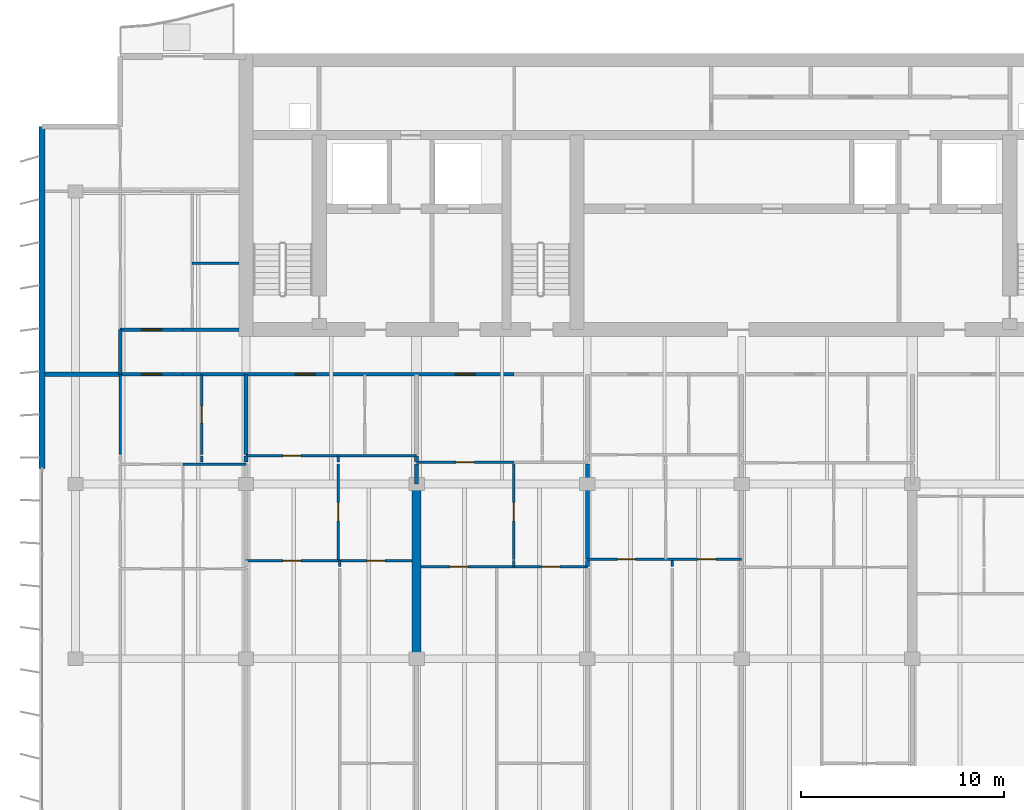
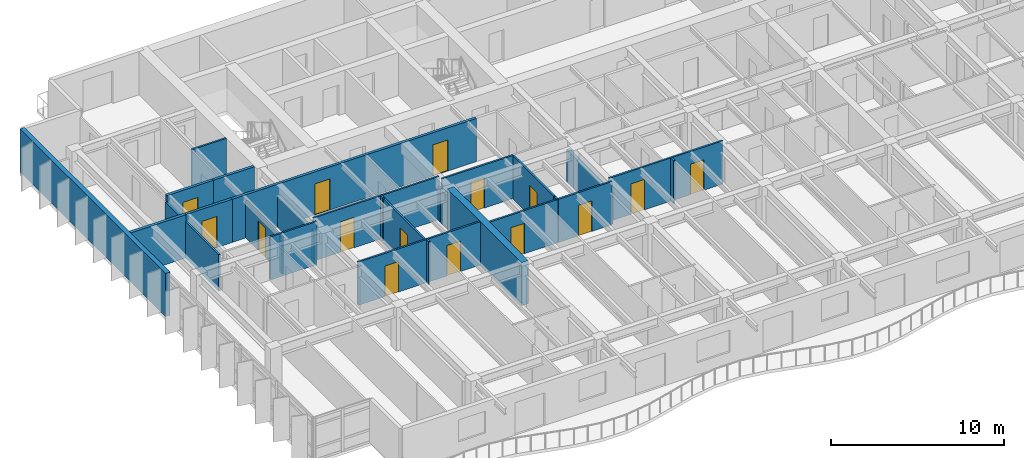
# One storey, part 7 of 17: 31 walls, 15 doors, 15 openings.
"""IFC4 building model written with IfcOpenShell, lengths in metres."""

from ifc_helpers import new_model, si_unit, direction, frame, frame_2d, origin, place, context, subcontext, project, spatial, rectangle, extrude, material, layer, layer_set, type_object, element, fill, save


model = new_model("IFC4")

# Units and contexts
model_context = context("Model", 3, precision=1e-05, world=origin(), true_north=direction((0.0, 1.0)))
body_context = subcontext(model_context, "Body", "Model", "MODEL_VIEW")
ifc_project = project(units=[si_unit("LENGTHUNIT", "METRE"), si_unit("AREAUNIT", "SQUARE_METRE"), si_unit("VOLUMEUNIT", "CUBIC_METRE"), si_unit("PLANEANGLEUNIT", "RADIAN"), si_unit("MASSUNIT", "GRAM", prefix="KILO")], contexts=[model_context])

# Site, building, storey
site_placement = place(None, origin())
site = spatial("IfcSite", under=ifc_project, at=site_placement, CompositionType="ELEMENT")
building_placement = place(site_placement, origin())
building = spatial("IfcBuilding", under=site, at=building_placement, Name="Caelmar Bay Residences", CompositionType="ELEMENT")
storey_placement = place(building_placement, frame((0.0, 0.0, 262.800048828125)))
storey = spatial("IfcBuildingStorey", under=building, at=storey_placement, Name="L74", CompositionType="ELEMENT", Elevation=262.800048828125)

# Walls
ifc_material_1 = material(Name="Concrete f'c 55 MPa (8,000 psi)", Category="concrete")
ifc_layer_1 = layer(ifc_material_1, 0.449951171875)
ifc_layer_set_1 = layer_set([ifc_layer_1], Name="Concrete f'c 55 MPa (8,000 psi)")
wall_type_1 = type_object("IfcWallType", Name="SW-XSLB-450", PredefinedType="SHEAR", material=ifc_layer_set_1)
wall_1_placement = place(storey_placement, frame((26.699951171875, 20.800048828125, 0.0), z_axis=(0.0, 0.0, 1.0), x_axis=(0.0, 1.0, 0.0)))
element("IfcWall", 1, at=wall_1_placement, inside=storey, type_object=wall_type_1, Name="L74 Transverse Cross-Slab Shear Wall W5", PredefinedType="SHEAR", context=body_context, shape_type="SweptSolid", body=[
    extrude(rectangle(XDim=8.599853515625, YDim=0.449951171875, at=frame_2d((4.2998046875, 0.0))), origin(), (0.0, 0.0, 1.0), 3.050048828125),
])
ifc_material_2 = material(Name="Double-stud acoustic fire-rated gypsum partition 180 mm")
ifc_layer_2 = layer(ifc_material_2, 0.179931640625)
ifc_layer_set_2 = layer_set([ifc_layer_2], Name="Double-stud acoustic fire-rated gypsum partition 180 mm")
wall_type_2 = type_object("IfcWallType", Name="W-COR-200", PredefinedType="PARTITIONING", material=ifc_layer_set_2)
wall_2_placement = place(storey_placement, frame((12.10009765625, 34.804931640625, 0.0), z_axis=(0.0, 0.0, 1.0), x_axis=(0.0, 1.0, 0.0)))
element("IfcWall", 2, at=wall_2_placement, inside=storey, type_object=wall_type_2, Name="L74 Partition Wall V006", PredefinedType="PARTITIONING", context=body_context, shape_type="SweptSolid", body=[
    extrude(rectangle(XDim=2.195068359375, YDim=0.179931640625, at=frame_2d((1.09765625, 0.0))), origin(), (0.0, 0.0, 1.0), 2.577880859375),
])

# Wall, opening, door
wall_3_placement = place(storey_placement, frame((12.10498046875, 34.800048828125, 0.0), z_axis=(0.0, 0.0, 1.0), x_axis=(1.0, 0.0, 0.0)))
wall_3 = element("IfcWall", 3, at=wall_3_placement, inside=storey, type_object=wall_type_2, Name="L74 Partition Wall H128", PredefinedType="PARTITIONING", context=body_context, shape_type="SweptSolid", body=[
    extrude(rectangle(XDim=3.093017578125, YDim=0.179931640625, at=frame_2d((1.54638671875, 0.0))), origin(), (0.0, 0.0, 1.0), 3.050048828125),
])
opening_1_placement = place(wall_3_placement, frame((1.04638671875, 0.0, 0.0)))
opening_1 = element("IfcOpeningElement", 4, at=opening_1_placement, cuts=wall_3, Name="Opening D-L74-122", PredefinedType="OPENING", context=body_context, shape_type="SweptSolid", body=[
    extrude(rectangle(XDim=1.0, YDim=2.199951171875, at=frame_2d((0.5, 1.10009765625))), frame((0.0, 0.099853515625, 0.0), z_axis=(0.0, -1.0, 0.0), x_axis=(1.0, 0.0, 0.0)), (0.0, 0.0, 1.0), 0.199951171875),
])
ifc_material_3 = material(Name="Fire-rated steel and walnut architectural door assembly", Category="steel")
ifc_layer_3 = layer(ifc_material_3, 0.050048828125)
ifc_layer_set_3 = layer_set([ifc_layer_3], Name="Fire-rated steel and walnut architectural door assembly")
door_type_1 = type_object("IfcDoorType", Name="D-UNIT-1000", OperationType="NOTDEFINED", PredefinedType="DOOR", material=ifc_layer_set_3)
door_1_placement = place(opening_1_placement, origin())
door_1 = element("IfcDoor", 5, at=door_1_placement, inside=storey, type_object=door_type_1, Name="L74 Residence 01 Apartment Hall Door", OperationType="SINGLE_SWING_RIGHT", OverallHeight=2.199951171875, OverallWidth=1.0, PredefinedType="DOOR", context=body_context, shape_type="SweptSolid", body=[
    extrude(rectangle(XDim=1.0, YDim=2.199951171875, at=frame_2d((0.5, 1.10009765625))), frame((0.0, 0.02490234375, 0.0), z_axis=(0.0, -1.0, 0.0), x_axis=(1.0, 0.0, 0.0)), (0.0, 0.0, 1.0), 0.050048828125),
])
fill(opening_1, door_1)

# Wall, openings, doors
wall_4_placement = place(storey_placement, frame((15.202880859375, 34.800048828125, 0.0), z_axis=(0.0, 0.0, 1.0), x_axis=(1.0, 0.0, 0.0)))
wall_4 = element("IfcWall", 6, at=wall_4_placement, inside=storey, type_object=wall_type_2, Name="L74 Partition Wall H129", PredefinedType="PARTITIONING", context=body_context, shape_type="SweptSolid", body=[
    extrude(rectangle(XDim=16.283203125, YDim=0.179931640625, at=frame_2d((8.1416015625, 0.0))), origin(), (0.0, 0.0, 1.0), 3.050048828125),
])
opening_2_placement = place(wall_4_placement, frame((5.51611328125, 0.0, 0.0)))
opening_2 = element("IfcOpeningElement", 7, at=opening_2_placement, cuts=wall_4, Name="Opening D-L74-128", PredefinedType="OPENING", context=body_context, shape_type="SweptSolid", body=[
    extrude(rectangle(XDim=1.0, YDim=2.199951171875, at=frame_2d((0.5, 1.10009765625))), frame((0.0, 0.099853515625, 0.0), z_axis=(0.0, -1.0, 0.0), x_axis=(1.0, 0.0, 0.0)), (0.0, 0.0, 1.0), 0.199951171875),
])
opening_3_placement = place(wall_4_placement, frame((13.389892578125, 0.0, 0.0)))
opening_3 = element("IfcOpeningElement", 8, at=opening_3_placement, cuts=wall_4, Name="Opening D-L74-135", PredefinedType="OPENING", context=body_context, shape_type="SweptSolid", body=[
    extrude(rectangle(XDim=1.0, YDim=2.199951171875, at=frame_2d((0.5, 1.10009765625))), frame((0.0, 0.099853515625, 0.0), z_axis=(0.0, -1.0, 0.0), x_axis=(1.0, 0.0, 0.0)), (0.0, 0.0, 1.0), 0.199951171875),
])
door_2_placement = place(opening_2_placement, origin())
door_2 = element("IfcDoor", 9, at=door_2_placement, inside=storey, type_object=door_type_1, Name="L74 Residence 02 Apartment Hall Door", OperationType="SINGLE_SWING_RIGHT", OverallHeight=2.199951171875, OverallWidth=1.0, PredefinedType="DOOR", context=body_context, shape_type="SweptSolid", body=[
    extrude(rectangle(XDim=1.0, YDim=2.199951171875, at=frame_2d((0.5, 1.10009765625))), frame((0.0, 0.02490234375, 0.0), z_axis=(0.0, -1.0, 0.0), x_axis=(1.0, 0.0, 0.0)), (0.0, 0.0, 1.0), 0.050048828125),
])
fill(opening_2, door_2)
door_3_placement = place(opening_3_placement, origin())
door_3 = element("IfcDoor", 10, at=door_3_placement, inside=storey, type_object=door_type_1, Name="L74 Residence 03 Apartment Hall Door", OperationType="SINGLE_SWING_LEFT", OverallHeight=2.199951171875, OverallWidth=1.0, PredefinedType="DOOR", context=body_context, shape_type="SweptSolid", body=[
    extrude(rectangle(XDim=1.0, YDim=2.199951171875, at=frame_2d((0.5, 1.10009765625))), frame((0.0, 0.02490234375, 0.0), z_axis=(0.0, -1.0, 0.0), x_axis=(1.0, 0.0, 0.0)), (0.0, 0.0, 1.0), 0.050048828125),
])
fill(opening_3, door_3)

# Wall, opening, door
wall_5_placement = place(storey_placement, frame((12.10009765625, 37.0, 0.0), z_axis=(0.0, 0.0, 1.0), x_axis=(1.0, 0.0, 0.0)))
wall_5 = element("IfcWall", 11, at=wall_5_placement, inside=storey, type_object=wall_type_2, Name="L74 Partition Wall H132", PredefinedType="PARTITIONING", context=body_context, shape_type="SweptSolid", body=[
    extrude(rectangle(XDim=3.097900390625, YDim=0.179931640625, at=frame_2d((1.548828125, 0.0))), origin(), (0.0, 0.0, 1.0), 3.050048828125),
])
opening_4_placement = place(wall_5_placement, frame((1.049072265625, 0.0, 0.0)))
opening_4 = element("IfcOpeningElement", 12, at=opening_4_placement, cuts=wall_5, Name="Opening D-L74-167", PredefinedType="OPENING", context=body_context, shape_type="SweptSolid", body=[
    extrude(rectangle(XDim=1.0, YDim=2.199951171875, at=frame_2d((0.5, 1.10009765625))), frame((0.0, 0.099853515625, 0.0), z_axis=(0.0, -1.0, 0.0), x_axis=(1.0, 0.0, 0.0)), (0.0, 0.0, 1.0), 0.199951171875),
])
door_4_placement = place(opening_4_placement, origin())
door_4 = element("IfcDoor", 13, at=door_4_placement, inside=storey, type_object=door_type_1, Name="L74 Residence WA Kitchen Door", OperationType="SINGLE_SWING_LEFT", OverallHeight=2.199951171875, OverallWidth=1.0, PredefinedType="DOOR", context=body_context, shape_type="SweptSolid", body=[
    extrude(rectangle(XDim=1.0, YDim=2.199951171875, at=frame_2d((0.5, 1.10009765625))), frame((0.0, 0.02490234375, 0.0), z_axis=(0.0, -1.0, 0.0), x_axis=(1.0, 0.0, 0.0)), (0.0, 0.0, 1.0), 0.050048828125),
])
fill(opening_4, door_4)

# Walls
wall_6_placement = place(storey_placement, frame((15.202880859375, 37.0, 0.0), z_axis=(0.0, 0.0, 1.0), x_axis=(1.0, 0.0, 0.0)))
element("IfcWall", 14, at=wall_6_placement, inside=storey, type_object=wall_type_2, Name="L74 Partition Wall H133", PredefinedType="PARTITIONING", context=body_context, shape_type="SweptSolid", body=[
    extrude(rectangle(XDim=2.7421875, YDim=0.179931640625, at=frame_2d((1.37109375, 0.0))), origin(), (0.0, 0.0, 1.0), 3.050048828125),
])
ifc_material_4 = material(Name="Precast concrete f'c 40 MPa (6,000 psi)", Category="concrete")
ifc_layer_4 = layer(ifc_material_4, 0.300048828125)
ifc_layer_set_4 = layer_set([ifc_layer_4], Name="Precast concrete f'c 40 MPa (6,000 psi)")
wall_type_3 = type_object("IfcWallType", Name="W-EXT-300", PredefinedType="STANDARD", material=ifc_layer_set_4)
wall_7_placement = place(storey_placement, frame((8.25, 30.14990234375, 0.0), z_axis=(0.0, 0.0, 1.0), x_axis=(0.0, 1.0, 0.0)))
element("IfcWall", 15, at=wall_7_placement, inside=storey, type_object=wall_type_3, Name="L74 West Rear Exterior Wall", PredefinedType="STANDARD", context=body_context, shape_type="SweptSolid", body=[
    extrude(rectangle(XDim=16.85009765625, YDim=0.300048828125, at=frame_2d((8.425048828125, 0.0))), origin(), (0.0, 0.0, 1.0), 3.050048828125),
])
ifc_material_5 = material(Name="Acoustic metal-stud gypsum partition 120 mm")
ifc_layer_5 = layer(ifc_material_5, 0.1201171875)
ifc_layer_set_5 = layer_set([ifc_layer_5], Name="Acoustic metal-stud gypsum partition 120 mm")
wall_type_4 = type_object("IfcWallType", Name="W-PRT-120", PredefinedType="PARTITIONING", material=ifc_layer_set_5)
wall_8_placement = place(storey_placement, frame((12.10009765625, 30.840087890625, 0.0), z_axis=(0.0, 0.0, 1.0), x_axis=(0.0, 1.0, 0.0)))
element("IfcWall", 16, at=wall_8_placement, inside=storey, type_object=wall_type_4, Name="L74 Partition Wall V005", PredefinedType="PARTITIONING", context=body_context, shape_type="SweptSolid", body=[
    extrude(rectangle(XDim=3.9599609375, YDim=0.1201171875, at=frame_2d((1.97998046875, 0.0))), origin(), (0.0, 0.0, 1.0), 2.577880859375),
])
wall_9_placement = place(storey_placement, frame((16.1279296875, 30.47998046875, 0.0), z_axis=(0.0, 0.0, 1.0), x_axis=(0.0, 1.0, 0.0)))
element("IfcWall", 17, at=wall_9_placement, inside=storey, type_object=wall_type_4, Name="L74 Partition Wall V013", PredefinedType="PARTITIONING", context=body_context, shape_type="SweptSolid", body=[
    extrude(rectangle(XDim=0.300048828125, YDim=0.1201171875, at=frame_2d((0.14990234375, 0.0))), origin(), (0.0, 0.0, 1.0), 2.62890625),
])

# Wall, opening, door
wall_10_placement = place(storey_placement, frame((16.1279296875, 30.840087890625, 0.0), z_axis=(0.0, 0.0, 1.0), x_axis=(0.0, 1.0, 0.0)))
wall_10 = element("IfcWall", 18, at=wall_10_placement, inside=storey, type_object=wall_type_4, Name="L74 Partition Wall V014", PredefinedType="PARTITIONING", context=body_context, shape_type="SweptSolid", body=[
    extrude(rectangle(XDim=3.9599609375, YDim=0.1201171875, at=frame_2d((1.97998046875, 0.0))), origin(), (0.0, 0.0, 1.0), 2.62890625),
])
opening_5_placement = place(wall_10_placement, frame((1.554931640625, 0.0, 0.0)))
opening_5 = element("IfcOpeningElement", 19, at=opening_5_placement, cuts=wall_10, Name="Opening D-L74-123", PredefinedType="OPENING", context=body_context, shape_type="SweptSolid", body=[
    extrude(rectangle(XDim=0.85009765625, YDim=2.10009765625, at=frame_2d((0.425048828125, 1.050048828125))), frame((0.0, 0.070068359375, 0.0), z_axis=(0.0, -1.0, 0.0), x_axis=(1.0, 0.0, 0.0)), (0.0, 0.0, 1.0), 0.14013671875),
])
ifc_material_6 = material(Name="Solid walnut timber interior door leaf and frame", Category="wood")
ifc_layer_6 = layer(ifc_material_6, 0.050048828125)
ifc_layer_set_6 = layer_set([ifc_layer_6], Name="Solid walnut timber interior door leaf and frame")
door_type_2 = type_object("IfcDoorType", Name="D-BATH-850", OperationType="NOTDEFINED", PredefinedType="DOOR", material=ifc_layer_set_6)
door_5_placement = place(opening_5_placement, origin())
door_5 = element("IfcDoor", 20, at=door_5_placement, inside=storey, type_object=door_type_2, Name="L74 Residence 01 Bathroom Door", OperationType="SINGLE_SWING_LEFT", OverallHeight=2.10009765625, OverallWidth=0.85009765625, PredefinedType="DOOR", context=body_context, shape_type="SweptSolid", body=[
    extrude(rectangle(XDim=0.85009765625, YDim=2.10009765625, at=frame_2d((0.425048828125, 1.050048828125))), frame((0.0, 0.02490234375, 0.0), z_axis=(0.0, -1.0, 0.0), x_axis=(1.0, 0.0, 0.0)), (0.0, 0.0, 1.0), 0.050048828125),
])
fill(opening_5, door_5)

wall_11_placement = place(storey_placement, frame((22.8359375, 25.68994140625, 0.0), z_axis=(0.0, 0.0, 1.0), x_axis=(0.0, 1.0, 0.0)))
wall_11 = element("IfcWall", 21, at=wall_11_placement, inside=storey, type_object=wall_type_4, Name="L74 Partition Wall V022", PredefinedType="PARTITIONING", context=body_context, shape_type="SweptSolid", body=[
    extrude(rectangle(XDim=4.68994140625, YDim=0.1201171875, at=frame_2d((2.344970703125, 0.0))), origin(), (0.0, 0.0, 1.0), 3.050048828125),
])
opening_6_placement = place(wall_11_placement, frame((1.89501953125, 0.0, 0.0)))
opening_6 = element("IfcOpeningElement", 22, at=opening_6_placement, cuts=wall_11, Name="Opening D-L74-131", PredefinedType="OPENING", context=body_context, shape_type="SweptSolid", body=[
    extrude(rectangle(XDim=0.89990234375, YDim=2.14990234375, at=frame_2d((0.449951171875, 1.074951171875))), frame((0.0, 0.070068359375, 0.0), z_axis=(0.0, -1.0, 0.0), x_axis=(1.0, 0.0, 0.0)), (0.0, 0.0, 1.0), 0.14013671875),
])
ifc_layer_7 = layer(ifc_material_6, 0.050048828125)
ifc_layer_set_7 = layer_set([ifc_layer_7], Name="Solid walnut timber interior door leaf and frame")
door_type_3 = type_object("IfcDoorType", Name="D-ROOM-900", OperationType="NOTDEFINED", PredefinedType="DOOR", material=ifc_layer_set_7)
door_6_placement = place(opening_6_placement, origin())
door_6 = element("IfcDoor", 23, at=door_6_placement, inside=storey, type_object=door_type_3, Name="L74 Residence 02 Private Reception Salon Door", OperationType="SINGLE_SWING_LEFT", OverallHeight=2.14990234375, OverallWidth=0.89990234375, PredefinedType="DOOR", context=body_context, shape_type="SweptSolid", body=[
    extrude(rectangle(XDim=0.89990234375, YDim=2.14990234375, at=frame_2d((0.449951171875, 1.074951171875))), frame((0.0, 0.02490234375, 0.0), z_axis=(0.0, -1.0, 0.0), x_axis=(1.0, 0.0, 0.0)), (0.0, 0.0, 1.0), 0.050048828125),
])
fill(opening_6, door_6)

# Walls
wall_12_placement = place(storey_placement, frame((22.8359375, 30.47998046875, 0.0), z_axis=(0.0, 0.0, 1.0), x_axis=(0.0, 1.0, 0.0)))
element("IfcWall", 24, at=wall_12_placement, inside=storey, type_object=wall_type_4, Name="L74 Partition Wall V023", PredefinedType="PARTITIONING", context=body_context, shape_type="SweptSolid", body=[
    extrude(rectangle(XDim=0.300048828125, YDim=0.1201171875, at=frame_2d((0.14990234375, 0.0))), origin(), (0.0, 0.0, 1.0), 3.050048828125),
])
for number, where, z_axis, x_axis, name in (
    (25, (22.919921875, 25.330078125, 0.0), (0.0, 0.0, 1.0), (0.0, 1.0, 0.0), "L74 Partition Wall V026"),
    (26, (31.486083984375, 25.330078125, 0.0), (0.0, 0.0, 1.0), (0.0, 1.0, 0.0), "L74 Partition Wall V038"),
):
    element("IfcWall", number, at=place(storey_placement, frame(where, z_axis=z_axis, x_axis=x_axis)), inside=storey, type_object=wall_type_4, Name=name, PredefinedType="PARTITIONING", context=body_context, shape_type="SweptSolid", body=[
        extrude(rectangle(XDim=0.2998046875, YDim=0.1201171875, at=frame_2d((0.14990234375, 0.0))), origin(), (0.0, 0.0, 1.0), 3.050048828125),
    ])

# Wall, opening, door
wall_13_placement = place(storey_placement, frame((31.486083984375, 25.68994140625, 0.0), z_axis=(0.0, 0.0, 1.0), x_axis=(0.0, 1.0, 0.0)))
wall_13 = element("IfcWall", 27, at=wall_13_placement, inside=storey, type_object=wall_type_4, Name="L74 Partition Wall V039", PredefinedType="PARTITIONING", context=body_context, shape_type="SweptSolid", body=[
    extrude(rectangle(XDim=4.68994140625, YDim=0.1201171875, at=frame_2d((2.344970703125, 0.0))), origin(), (0.0, 0.0, 1.0), 3.050048828125),
])
opening_7_placement = place(wall_13_placement, frame((1.89501953125, 0.0, 0.0)))
opening_7 = element("IfcOpeningElement", 28, at=opening_7_placement, cuts=wall_13, Name="Opening D-L74-138", PredefinedType="OPENING", context=body_context, shape_type="SweptSolid", body=[
    extrude(rectangle(XDim=0.89990234375, YDim=2.14990234375, at=frame_2d((0.449951171875, 1.074951171875))), frame((0.0, 0.070068359375, 0.0), z_axis=(0.0, -1.0, 0.0), x_axis=(1.0, 0.0, 0.0)), (0.0, 0.0, 1.0), 0.14013671875),
])
door_7_placement = place(opening_7_placement, origin())
door_7 = element("IfcDoor", 29, at=door_7_placement, inside=storey, type_object=door_type_3, Name="L74 Residence 03 Private Reception Salon Door", OperationType="SINGLE_SWING_RIGHT", OverallHeight=2.14990234375, OverallWidth=0.89990234375, PredefinedType="DOOR", context=body_context, shape_type="SweptSolid", body=[
    extrude(rectangle(XDim=0.89990234375, YDim=2.14990234375, at=frame_2d((0.449951171875, 1.074951171875))), frame((0.0, 0.02490234375, 0.0), z_axis=(0.0, -1.0, 0.0), x_axis=(1.0, 0.0, 0.0)), (0.0, 0.0, 1.0), 0.050048828125),
])
fill(opening_7, door_7)

# Wall
wall_14_placement = place(storey_placement, frame((39.280029296875, 25.330078125, 0.0), z_axis=(0.0, 0.0, 1.0), x_axis=(0.0, 1.0, 0.0)))
element("IfcWall", 30, at=wall_14_placement, inside=storey, type_object=wall_type_4, Name="L74 Partition Wall V053", PredefinedType="PARTITIONING", context=body_context, shape_type="SweptSolid", body=[
    extrude(rectangle(XDim=0.2998046875, YDim=0.1201171875, at=frame_2d((0.14990234375, 0.0))), origin(), (0.0, 0.0, 1.0), 3.050048828125),
])

# Wall, opening, door
wall_15_placement = place(storey_placement, frame((26.919921875, 25.330078125, 0.0), z_axis=(0.0, 0.0, 1.0), x_axis=(1.0, 0.0, 0.0)))
wall_15 = element("IfcWall", 31, at=wall_15_placement, inside=storey, type_object=wall_type_4, Name="L74 Partition Wall H114", PredefinedType="PARTITIONING", context=body_context, shape_type="SweptSolid", body=[
    extrude(rectangle(XDim=4.566162109375, YDim=0.1201171875, at=frame_2d((2.283203125, 0.0))), origin(), (0.0, 0.0, 1.0), 3.050048828125),
])
opening_8_placement = place(wall_15_placement, frame((1.4140625, 0.0, 0.0)))
opening_8 = element("IfcOpeningElement", 32, at=opening_8_placement, cuts=wall_15, Name="Opening D-L74-139", PredefinedType="OPENING", context=body_context, shape_type="SweptSolid", body=[
    extrude(rectangle(XDim=0.89990234375, YDim=2.14990234375, at=frame_2d((0.449951171875, 1.074951171875))), frame((0.0, 0.070068359375, 0.0), z_axis=(0.0, -1.0, 0.0), x_axis=(1.0, 0.0, 0.0)), (0.0, 0.0, 1.0), 0.14013671875),
])
door_8_placement = place(opening_8_placement, origin())
door_8 = element("IfcDoor", 33, at=door_8_placement, inside=storey, type_object=door_type_3, Name="L74 Residence 03 Living Room Door", OperationType="SINGLE_SWING_LEFT", OverallHeight=2.14990234375, OverallWidth=0.89990234375, PredefinedType="DOOR", context=body_context, shape_type="SweptSolid", body=[
    extrude(rectangle(XDim=0.89990234375, YDim=2.14990234375, at=frame_2d((0.449951171875, 1.074951171875))), frame((0.0, 0.02490234375, 0.0), z_axis=(0.0, -1.0, 0.0), x_axis=(1.0, 0.0, 0.0)), (0.0, 0.0, 1.0), 0.050048828125),
])
fill(opening_8, door_8)

wall_16_placement = place(storey_placement, frame((31.5, 25.330078125, 0.0), z_axis=(0.0, 0.0, 1.0), x_axis=(1.0, 0.0, 0.0)))
wall_16 = element("IfcWall", 34, at=wall_16_placement, inside=storey, type_object=wall_type_4, Name="L74 Partition Wall H115", PredefinedType="PARTITIONING", context=body_context, shape_type="SweptSolid", body=[
    extrude(rectangle(XDim=3.60009765625, YDim=0.1201171875, at=frame_2d((1.800048828125, 0.0))), origin(), (0.0, 0.0, 1.0), 3.050048828125),
])
opening_9_placement = place(wall_16_placement, frame((1.35009765625, 0.0, 0.0)))
opening_9 = element("IfcOpeningElement", 35, at=opening_9_placement, cuts=wall_16, Name="Opening D-L74-140", PredefinedType="OPENING", context=body_context, shape_type="SweptSolid", body=[
    extrude(rectangle(XDim=0.89990234375, YDim=2.14990234375, at=frame_2d((0.449951171875, 1.074951171875))), frame((0.0, 0.070068359375, 0.0), z_axis=(0.0, -1.0, 0.0), x_axis=(1.0, 0.0, 0.0)), (0.0, 0.0, 1.0), 0.14013671875),
])
door_9_placement = place(opening_9_placement, origin())
door_9 = element("IfcDoor", 36, at=door_9_placement, inside=storey, type_object=door_type_3, Name="L74 Residence 03 Penthouse Sitting Room Door", OperationType="SINGLE_SWING_RIGHT", OverallHeight=2.14990234375, OverallWidth=0.89990234375, PredefinedType="DOOR", context=body_context, shape_type="SweptSolid", body=[
    extrude(rectangle(XDim=0.89990234375, YDim=2.14990234375, at=frame_2d((0.449951171875, 1.074951171875))), frame((0.0, 0.02490234375, 0.0), z_axis=(0.0, -1.0, 0.0), x_axis=(1.0, 0.0, 0.0)), (0.0, 0.0, 1.0), 0.050048828125),
])
fill(opening_9, door_9)

# Wall, openings, doors
wall_17_placement = place(storey_placement, frame((18.300048828125, 25.6298828125, 0.0), z_axis=(0.0, 0.0, 1.0), x_axis=(1.0, 0.0, 0.0)))
wall_17 = element("IfcWall", 37, at=wall_17_placement, inside=storey, type_object=wall_type_4, Name="L74 Partition Wall H116", PredefinedType="PARTITIONING", context=body_context, shape_type="SweptSolid", body=[
    extrude(rectangle(XDim=8.179931640625, YDim=0.1201171875, at=frame_2d((4.08984375, 0.0))), origin(), (0.0, 0.0, 1.0), 3.050048828125),
])
opening_10_placement = place(wall_17_placement, frame((1.818115234375, 0.0, 0.0)))
opening_10 = element("IfcOpeningElement", 38, at=opening_10_placement, cuts=wall_17, Name="Opening D-L74-132", PredefinedType="OPENING", context=body_context, shape_type="SweptSolid", body=[
    extrude(rectangle(XDim=0.89990234375, YDim=2.14990234375, at=frame_2d((0.449951171875, 1.074951171875))), frame((0.0, 0.070068359375, 0.0), z_axis=(0.0, -1.0, 0.0), x_axis=(1.0, 0.0, 0.0)), (0.0, 0.0, 1.0), 0.14013671875),
])
opening_11_placement = place(wall_17_placement, frame((5.949951171875, 0.0, 0.0)))
opening_11 = element("IfcOpeningElement", 39, at=opening_11_placement, cuts=wall_17, Name="Opening D-L74-133", PredefinedType="OPENING", context=body_context, shape_type="SweptSolid", body=[
    extrude(rectangle(XDim=0.89990234375, YDim=2.14990234375, at=frame_2d((0.449951171875, 1.074951171875))), frame((0.0, 0.070068359375, 0.0), z_axis=(0.0, -1.0, 0.0), x_axis=(1.0, 0.0, 0.0)), (0.0, 0.0, 1.0), 0.14013671875),
])
door_10_placement = place(opening_10_placement, origin())
door_10 = element("IfcDoor", 40, at=door_10_placement, inside=storey, type_object=door_type_3, Name="L74 Residence 02 Living Room Door", OperationType="SINGLE_SWING_RIGHT", OverallHeight=2.14990234375, OverallWidth=0.89990234375, PredefinedType="DOOR", context=body_context, shape_type="SweptSolid", body=[
    extrude(rectangle(XDim=0.89990234375, YDim=2.14990234375, at=frame_2d((0.449951171875, 1.074951171875))), frame((0.0, 0.02490234375, 0.0), z_axis=(0.0, -1.0, 0.0), x_axis=(1.0, 0.0, 0.0)), (0.0, 0.0, 1.0), 0.050048828125),
])
fill(opening_10, door_10)
door_11_placement = place(opening_11_placement, origin())
door_11 = element("IfcDoor", 41, at=door_11_placement, inside=storey, type_object=door_type_3, Name="L74 Residence 02 Penthouse Sitting Room Door", OperationType="SINGLE_SWING_LEFT", OverallHeight=2.14990234375, OverallWidth=0.89990234375, PredefinedType="DOOR", context=body_context, shape_type="SweptSolid", body=[
    extrude(rectangle(XDim=0.89990234375, YDim=2.14990234375, at=frame_2d((0.449951171875, 1.074951171875))), frame((0.0, 0.02490234375, 0.0), z_axis=(0.0, -1.0, 0.0), x_axis=(1.0, 0.0, 0.0)), (0.0, 0.0, 1.0), 0.050048828125),
])
fill(opening_11, door_11)

wall_18_placement = place(storey_placement, frame((35.10009765625, 25.68994140625, 0.0), z_axis=(0.0, 0.0, 1.0), x_axis=(1.0, 0.0, 0.0)))
wall_18 = element("IfcWall", 42, at=wall_18_placement, inside=storey, type_object=wall_type_4, Name="L74 Partition Wall H117", PredefinedType="PARTITIONING", context=body_context, shape_type="SweptSolid", body=[
    extrude(rectangle(XDim=7.599853515625, YDim=0.1201171875, at=frame_2d((3.7998046875, 0.0))), origin(), (0.0, 0.0, 1.0), 3.050048828125),
])
opening_12_placement = place(wall_18_placement, frame((1.47705078125, 0.0, 0.0)))
opening_12 = element("IfcOpeningElement", 43, at=opening_12_placement, cuts=wall_18, Name="Opening D-L74-146", PredefinedType="OPENING", context=body_context, shape_type="SweptSolid", body=[
    extrude(rectangle(XDim=0.89990234375, YDim=2.14990234375, at=frame_2d((0.449951171875, 1.074951171875))), frame((0.0, 0.070068359375, 0.0), z_axis=(0.0, -1.0, 0.0), x_axis=(1.0, 0.0, 0.0)), (0.0, 0.0, 1.0), 0.14013671875),
])
opening_13_placement = place(wall_18_placement, frame((5.43994140625, 0.0, 0.0)))
opening_13 = element("IfcOpeningElement", 44, at=opening_13_placement, cuts=wall_18, Name="Opening D-L74-147", PredefinedType="OPENING", context=body_context, shape_type="SweptSolid", body=[
    extrude(rectangle(XDim=0.89990234375, YDim=2.14990234375, at=frame_2d((0.449951171875, 1.074951171875))), frame((0.0, 0.070068359375, 0.0), z_axis=(0.0, -1.0, 0.0), x_axis=(1.0, 0.0, 0.0)), (0.0, 0.0, 1.0), 0.14013671875),
])
door_12_placement = place(opening_12_placement, origin())
door_12 = element("IfcDoor", 45, at=door_12_placement, inside=storey, type_object=door_type_3, Name="L74 Residence 04 Living Room Door", OperationType="SINGLE_SWING_RIGHT", OverallHeight=2.14990234375, OverallWidth=0.89990234375, PredefinedType="DOOR", context=body_context, shape_type="SweptSolid", body=[
    extrude(rectangle(XDim=0.89990234375, YDim=2.14990234375, at=frame_2d((0.449951171875, 1.074951171875))), frame((0.0, 0.02490234375, 0.0), z_axis=(0.0, -1.0, 0.0), x_axis=(1.0, 0.0, 0.0)), (0.0, 0.0, 1.0), 0.050048828125),
])
fill(opening_12, door_12)
door_13_placement = place(opening_13_placement, origin())
door_13 = element("IfcDoor", 46, at=door_13_placement, inside=storey, type_object=door_type_3, Name="L74 Residence 04 Primary Bedroom Door", OperationType="SINGLE_SWING_LEFT", OverallHeight=2.14990234375, OverallWidth=0.89990234375, PredefinedType="DOOR", context=body_context, shape_type="SweptSolid", body=[
    extrude(rectangle(XDim=0.89990234375, YDim=2.14990234375, at=frame_2d((0.449951171875, 1.074951171875))), frame((0.0, 0.02490234375, 0.0), z_axis=(0.0, -1.0, 0.0), x_axis=(1.0, 0.0, 0.0)), (0.0, 0.0, 1.0), 0.050048828125),
])
fill(opening_13, door_13)

# Wall
wall_19_placement = place(storey_placement, frame((15.202880859375, 30.3798828125, 0.0), z_axis=(0.0, 0.0, 1.0), x_axis=(1.0, 0.0, 0.0)))
element("IfcWall", 47, at=wall_19_placement, inside=storey, type_object=wall_type_4, Name="L74 Partition Wall H121", PredefinedType="PARTITIONING", context=body_context, shape_type="SweptSolid", body=[
    extrude(rectangle(XDim=3.09716796875, YDim=0.1201171875, at=frame_2d((1.548583984375, 0.0))), origin(), (0.0, 0.0, 1.0), 3.050048828125),
])

# Wall, opening, door
wall_20_placement = place(storey_placement, frame((26.699951171875, 30.47998046875, 0.0), z_axis=(0.0, 0.0, 1.0), x_axis=(1.0, 0.0, 0.0)))
wall_20 = element("IfcWall", 48, at=wall_20_placement, inside=storey, type_object=wall_type_4, Name="L74 Partition Wall H123", PredefinedType="PARTITIONING", context=body_context, shape_type="SweptSolid", body=[
    extrude(rectangle(XDim=4.7861328125, YDim=0.1201171875, at=frame_2d((2.39306640625, 0.0))), origin(), (0.0, 0.0, 1.0), 3.050048828125),
])
opening_14_placement = place(wall_20_placement, frame((1.943115234375, 0.0, 0.0)))
opening_14 = element("IfcOpeningElement", 49, at=opening_14_placement, cuts=wall_20, Name="Opening D-L74-137", PredefinedType="OPENING", context=body_context, shape_type="SweptSolid", body=[
    extrude(rectangle(XDim=0.89990234375, YDim=2.14990234375, at=frame_2d((0.449951171875, 1.074951171875))), frame((0.0, 0.070068359375, 0.0), z_axis=(0.0, -1.0, 0.0), x_axis=(1.0, 0.0, 0.0)), (0.0, 0.0, 1.0), 0.14013671875),
])
door_14_placement = place(opening_14_placement, origin())
door_14 = element("IfcDoor", 50, at=door_14_placement, inside=storey, type_object=door_type_3, Name="L74 Residence 03 Kitchen Door", OperationType="SINGLE_SWING_LEFT", OverallHeight=2.14990234375, OverallWidth=0.89990234375, PredefinedType="DOOR", context=body_context, shape_type="SweptSolid", body=[
    extrude(rectangle(XDim=0.89990234375, YDim=2.14990234375, at=frame_2d((0.449951171875, 1.074951171875))), frame((0.0, 0.02490234375, 0.0), z_axis=(0.0, -1.0, 0.0), x_axis=(1.0, 0.0, 0.0)), (0.0, 0.0, 1.0), 0.050048828125),
])
fill(opening_14, door_14)

wall_21_placement = place(storey_placement, frame((18.300048828125, 30.780029296875, 0.0), z_axis=(0.0, 0.0, 1.0), x_axis=(1.0, 0.0, 0.0)))
wall_21 = element("IfcWall", 51, at=wall_21_placement, inside=storey, type_object=wall_type_4, Name="L74 Partition Wall H125", PredefinedType="PARTITIONING", context=body_context, shape_type="SweptSolid", body=[
    extrude(rectangle(XDim=8.39990234375, YDim=0.1201171875, at=frame_2d((4.199951171875, 0.0))), origin(), (0.0, 0.0, 1.0), 3.050048828125),
])
opening_15_placement = place(wall_21_placement, frame((1.818115234375, 0.0, 0.0)))
opening_15 = element("IfcOpeningElement", 52, at=opening_15_placement, cuts=wall_21, Name="Opening D-L74-130", PredefinedType="OPENING", context=body_context, shape_type="SweptSolid", body=[
    extrude(rectangle(XDim=0.89990234375, YDim=2.14990234375, at=frame_2d((0.449951171875, 1.074951171875))), frame((0.0, 0.070068359375, 0.0), z_axis=(0.0, -1.0, 0.0), x_axis=(1.0, 0.0, 0.0)), (0.0, 0.0, 1.0), 0.14013671875),
])
door_15_placement = place(opening_15_placement, origin())
door_15 = element("IfcDoor", 53, at=door_15_placement, inside=storey, type_object=door_type_3, Name="L74 Residence 02 Kitchen Door", OperationType="SINGLE_SWING_RIGHT", OverallHeight=2.14990234375, OverallWidth=0.89990234375, PredefinedType="DOOR", context=body_context, shape_type="SweptSolid", body=[
    extrude(rectangle(XDim=0.89990234375, YDim=2.14990234375, at=frame_2d((0.449951171875, 1.074951171875))), frame((0.0, 0.02490234375, 0.0), z_axis=(0.0, -1.0, 0.0), x_axis=(1.0, 0.0, 0.0)), (0.0, 0.0, 1.0), 0.050048828125),
])
fill(opening_15, door_15)

# Walls
wall_22_placement = place(storey_placement, frame((15.64990234375, 40.263916015625, 0.0), z_axis=(0.0, 0.0, 1.0), x_axis=(1.0, 0.0, 0.0)))
element("IfcWall", 54, at=wall_22_placement, inside=storey, type_object=wall_type_4, Name="L74 Partition Wall H135", PredefinedType="PARTITIONING", context=body_context, shape_type="SweptSolid", body=[
    extrude(rectangle(XDim=2.30517578125, YDim=0.1201171875, at=frame_2d((1.152587890625, 0.0))), origin(), (0.0, 0.0, 1.0), 3.050048828125),
])
ifc_material_7 = material(Name="Acoustic twin-stud fire-rated inter-tenancy partition 200 mm")
ifc_layer_8 = layer(ifc_material_7, 0.199951171875)
ifc_layer_set_8 = layer_set([ifc_layer_8], Name="Acoustic twin-stud fire-rated inter-tenancy partition 200 mm")
wall_type_5 = type_object("IfcWallType", Name="W-PTY-200", PredefinedType="PARTITIONING", material=ifc_layer_set_8)
wall_23_placement = place(storey_placement, frame((18.300048828125, 30.47998046875, 0.0), z_axis=(0.0, 0.0, 1.0), x_axis=(0.0, 1.0, 0.0)))
element("IfcWall", 55, at=wall_23_placement, inside=storey, type_object=wall_type_5, Name="L74 Partition Wall V019", PredefinedType="PARTITIONING", context=body_context, shape_type="SweptSolid", body=[
    extrude(rectangle(XDim=0.300048828125, YDim=0.199951171875, at=frame_2d((0.14990234375, 0.0))), origin(), (0.0, 0.0, 1.0), 2.262939453125),
])
wall_24_placement = place(storey_placement, frame((18.300048828125, 30.840087890625, 0.0), z_axis=(0.0, 0.0, 1.0), x_axis=(0.0, 1.0, 0.0)))
element("IfcWall", 56, at=wall_24_placement, inside=storey, type_object=wall_type_5, Name="L74 Partition Wall V020", PredefinedType="PARTITIONING", context=body_context, shape_type="SweptSolid", body=[
    extrude(rectangle(XDim=3.9599609375, YDim=0.199951171875, at=frame_2d((1.97998046875, 0.0))), origin(), (0.0, 0.0, 1.0), 2.262939453125),
])
wall_25_placement = place(storey_placement, frame((26.699951171875, 29.405029296875, 0.0), z_axis=(0.0, 0.0, 1.0), x_axis=(0.0, 1.0, 0.0)))
element("IfcWall", 57, at=wall_25_placement, inside=storey, type_object=wall_type_5, Name="L74 Partition Wall V031", PredefinedType="PARTITIONING", context=body_context, shape_type="SweptSolid", body=[
    extrude(rectangle(XDim=0.974853515625, YDim=0.199951171875, at=frame_2d((0.4873046875, 0.0))), origin(), (0.0, 0.0, 1.0), 2.3349609375),
])
wall_26_placement = place(storey_placement, frame((26.699951171875, 30.47998046875, 0.0), z_axis=(0.0, 0.0, 1.0), x_axis=(0.0, 1.0, 0.0)))
element("IfcWall", 58, at=wall_26_placement, inside=storey, type_object=wall_type_5, Name="L74 Partition Wall V032", PredefinedType="PARTITIONING", context=body_context, shape_type="SweptSolid", body=[
    extrude(rectangle(XDim=0.300048828125, YDim=0.199951171875, at=frame_2d((0.14990234375, 0.0))), origin(), (0.0, 0.0, 1.0), 2.3349609375),
])
wall_27_placement = place(storey_placement, frame((35.10009765625, 25.330078125, 0.0), z_axis=(0.0, 0.0, 1.0), x_axis=(0.0, 1.0, 0.0)))
element("IfcWall", 59, at=wall_27_placement, inside=storey, type_object=wall_type_5, Name="L74 Partition Wall V045", PredefinedType="PARTITIONING", context=body_context, shape_type="SweptSolid", body=[
    extrude(rectangle(XDim=0.2998046875, YDim=0.199951171875, at=frame_2d((0.14990234375, 0.0))), origin(), (0.0, 0.0, 1.0), 2.262939453125),
])
wall_28_placement = place(storey_placement, frame((35.10009765625, 25.68994140625, 0.0), z_axis=(0.0, 0.0, 1.0), x_axis=(0.0, 1.0, 0.0)))
element("IfcWall", 60, at=wall_28_placement, inside=storey, type_object=wall_type_5, Name="L74 Partition Wall V046", PredefinedType="PARTITIONING", context=body_context, shape_type="SweptSolid", body=[
    extrude(rectangle(XDim=4.68994140625, YDim=0.199951171875, at=frame_2d((2.344970703125, 0.0))), origin(), (0.0, 0.0, 1.0), 2.262939453125),
])
wall_29_placement = place(storey_placement, frame((8.39501953125, 34.800048828125, 0.0), z_axis=(0.0, 0.0, 1.0), x_axis=(1.0, 0.0, 0.0)))
element("IfcWall", 61, at=wall_29_placement, inside=storey, type_object=wall_type_5, Name="L74 Partition Wall H127", PredefinedType="PARTITIONING", context=body_context, shape_type="SweptSolid", body=[
    extrude(rectangle(XDim=3.705078125, YDim=0.199951171875, at=frame_2d((1.8525390625, 0.0))), origin(), (0.0, 0.0, 1.0), 3.050048828125),
])

save(model, "model.ifc")
